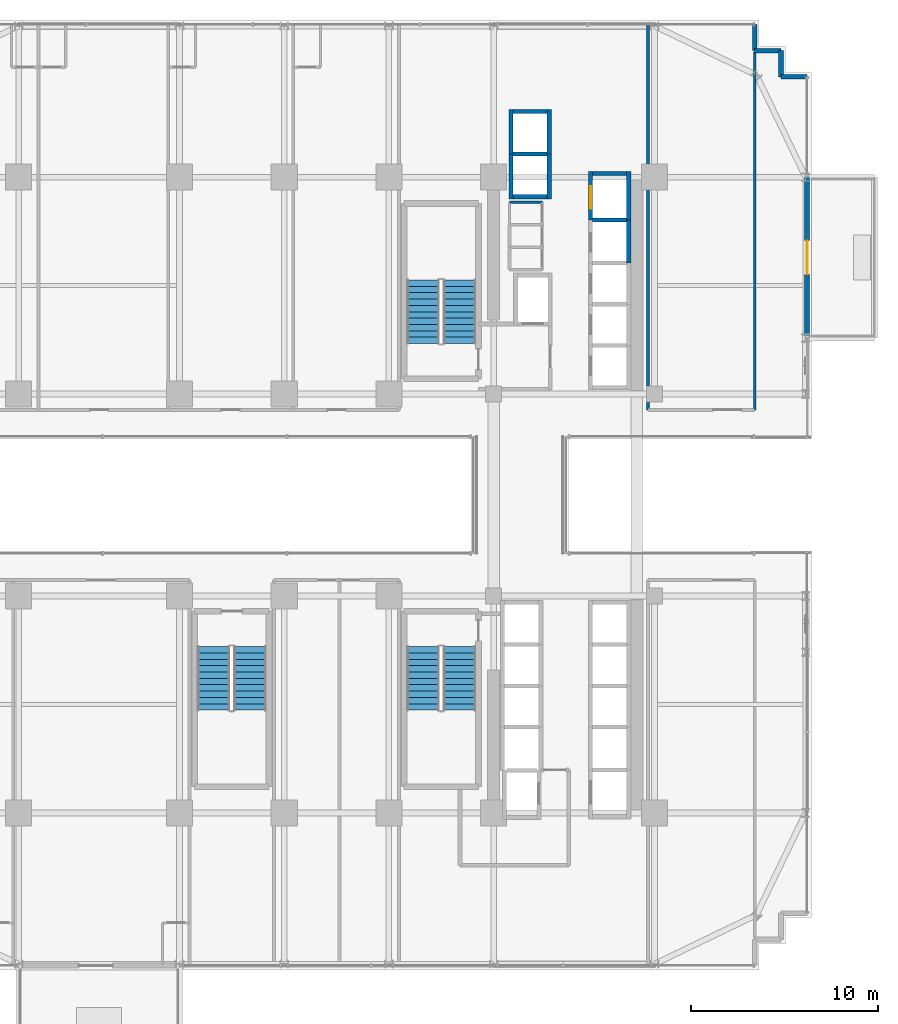
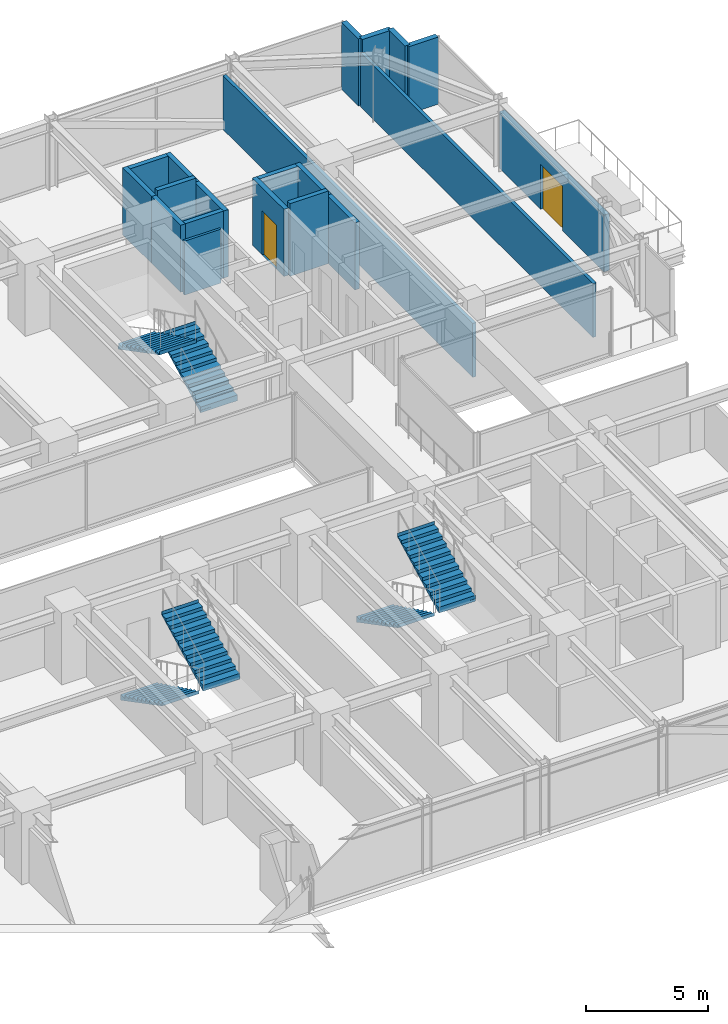
# One storey, part 32 of 35: 20 walls, 6 stair flights, 2 doors, 2 openings, 3 elements without a shape of their own.
"""IFC4 building model written with IfcOpenShell, lengths in metres."""

from ifc_helpers import new_model, si_unit, direction, frame, frame_2d, origin, place, context, subcontext, project, spatial, polyline, rectangle, outline, extrude, source, transform, mapped, material, layer, layer_set, type_object, element, fill, aggregate, save


model = new_model("IFC4")

# Units and contexts
model_context = context("Model", 3, precision=1e-05, world=origin(), true_north=direction((0.0, 1.0)))
body_context = subcontext(model_context, "Body", "Model", "MODEL_VIEW")
ifc_project = project(units=[si_unit("LENGTHUNIT", "METRE"), si_unit("AREAUNIT", "SQUARE_METRE"), si_unit("VOLUMEUNIT", "CUBIC_METRE"), si_unit("PLANEANGLEUNIT", "RADIAN"), si_unit("MASSUNIT", "GRAM", prefix="KILO")], contexts=[model_context])

# Site, building, storey
site_placement = place(None, origin())
site = spatial("IfcSite", under=ifc_project, at=site_placement, CompositionType="ELEMENT")
building_placement = place(site_placement, origin())
building = spatial("IfcBuilding", under=site, at=building_placement, Name="Nahalor Promenade Grand Hotel", CompositionType="ELEMENT")
storey_placement = place(building_placement, frame((0.0, 0.0, 43.35009765625)))
storey = spatial("IfcBuildingStorey", under=building, at=storey_placement, Name="L09", CompositionType="ELEMENT", Elevation=43.35009765625)

# Walls
ifc_material_1 = material(Name="Concrete B-50 (C40/50)", Category="concrete")
ifc_layer_1 = layer(ifc_material_1, 0.219970703125)
ifc_layer_set_1 = layer_set([ifc_layer_1], Name="Concrete B-50 (C40/50)")
wall_type_1 = type_object("IfcWallType", Name="Wall-LiftShaft-220", PredefinedType="SHEAR", material=ifc_layer_set_1)
shared_shape_1 = source(origin(), body_context, "Body", "SweptSolid", [
    extrude(rectangle(XDim=1.820068359375, YDim=0.219970703125, at=frame_2d((0.91015625, 0.0))), origin(), (0.0, 0.0, 1.0), 3.369873046875),
])
for number, where, z_axis, x_axis, name in (
    (1, (9.43994140625, 15.949951171875, 0.0), (0.0, 0.0, 1.0), (1.0, 0.0, 0.0), "L09 Lift OB1 Hoistway Wall S"),
    (2, (9.43994140625, 20.5, 0.0), (0.0, 0.0, 1.0), (1.0, 0.0, 0.0), "L09 Lift OB2 Hoistway Wall N"),
    (3, (13.68994140625, 17.199951171875, 0.0), (0.0, 0.0, 1.0), (1.0, 0.0, 0.0), "L09 Lift SV1 Hoistway Wall N"),
):
    element("IfcWall", number, at=place(storey_placement, frame(where, z_axis=z_axis, x_axis=x_axis)), inside=storey, type_object=wall_type_1, Name=name, PredefinedType="SHEAR", context=body_context, shape_type="MappedRepresentation", body=[
        mapped(shared_shape_1, transform((0.0, 0.0, 0.0), scale=1.0)),
    ])
shared_shape_2 = source(origin(), body_context, "Body", "SweptSolid", [
    extrude(rectangle(XDim=1.820068359375, YDim=0.219970703125, at=frame_2d((0.91015625, 0.0))), origin(), (0.0, 0.0, 1.0), 3.64990234375),
])
for number, where, z_axis, x_axis, name in (
    (4, (13.68994140625, 14.699951171875, 0.0), (0.0, 0.0, 1.0), (1.0, 0.0, 0.0), "L09 Lift PL4 Hoistway Wall N"),
    (5, (9.43994140625, 18.22509765625, 0.0), (0.0, 0.0, 1.0), (1.0, 0.0, 0.0), "L09 Lift OB1 Hoistway Wall N"),
):
    element("IfcWall", number, at=place(storey_placement, frame(where, z_axis=z_axis, x_axis=x_axis)), inside=storey, type_object=wall_type_1, Name=name, PredefinedType="SHEAR", context=body_context, shape_type="MappedRepresentation", body=[
        mapped(shared_shape_2, transform((0.0, 0.0, 0.0), scale=1.0)),
    ])
shared_shape_3 = source(origin(), body_context, "Body", "SweptSolid", [
    extrude(rectangle(XDim=2.300048828125, YDim=0.219970703125, at=frame_2d((1.14990234375, 0.0))), origin(), (0.0, 0.0, 1.0), 3.369873046875),
])
wall_1_placement = place(storey_placement, frame((15.6201171875, 12.39990234375, 0.0), z_axis=(0.0, 0.0, 1.0), x_axis=(0.0, 1.0, 0.0)))
element("IfcWall", 6, at=wall_1_placement, inside=storey, type_object=wall_type_1, Name="L09 Lift PL4 Hoistway Wall E", PredefinedType="SHEAR", context=body_context, shape_type="MappedRepresentation", body=[
    mapped(shared_shape_3, transform((0.0, 0.0, 0.0), scale=1.0)),
])
shared_shape_4 = source(origin(), body_context, "Body", "SweptSolid", [
    extrude(rectangle(XDim=2.385009765625, YDim=0.219970703125, at=frame_2d((1.1923828125, 0.0))), origin(), (0.0, 0.0, 1.0), 3.369873046875),
])
for number, where, z_axis, x_axis, name in (
    (7, (9.330078125, 15.840087890625, 0.0), (0.0, 0.0, 1.0), (0.0, 1.0, 0.0), "L09 Lift OB1 Hoistway Wall W"),
    (8, (11.3701171875, 15.840087890625, 0.0), (0.0, 0.0, 1.0), (0.0, 1.0, 0.0), "L09 Lift OB1 Hoistway Wall E"),
    (9, (9.330078125, 18.22509765625, 0.0), (0.0, 0.0, 1.0), (0.0, 1.0, 0.0), "L09 Lift OB2 Hoistway Wall W"),
    (10, (11.3701171875, 18.22509765625, 0.0), (0.0, 0.0, 1.0), (0.0, 1.0, 0.0), "L09 Lift OB2 Hoistway Wall E"),
):
    element("IfcWall", number, at=place(storey_placement, frame(where, z_axis=z_axis, x_axis=x_axis)), inside=storey, type_object=wall_type_1, Name=name, PredefinedType="SHEAR", context=body_context, shape_type="MappedRepresentation", body=[
        mapped(shared_shape_4, transform((0.0, 0.0, 0.0), scale=1.0)),
    ])

# Wall, opening, door
shared_shape_5 = source(origin(), body_context, "Body", "SweptSolid", [
    extrude(rectangle(XDim=2.610107421875, YDim=0.219970703125, at=frame_2d((1.30517578125, 0.0))), origin(), (0.0, 0.0, 1.0), 3.369873046875),
])
wall_2_placement = place(storey_placement, frame((13.580078125, 14.699951171875, 0.0), z_axis=(0.0, 0.0, 1.0), x_axis=(0.0, 1.0, 0.0)))
wall_2 = element("IfcWall", 11, at=wall_2_placement, inside=storey, type_object=wall_type_1, Name="L09 Lift SV1 Hoistway Wall W", PredefinedType="SHEAR", context=body_context, shape_type="MappedRepresentation", body=[
    mapped(shared_shape_5, transform((0.0, 0.0, 0.0), scale=1.0)),
])
opening_1_placement = place(wall_2_placement, frame((0.60009765625, 0.0, 0.0)))
opening_1 = element("IfcOpeningElement", 12, at=opening_1_placement, cuts=wall_2, Name="Opening LD-03", PredefinedType="OPENING", context=body_context, shape_type="SweptSolid", body=[
    extrude(rectangle(XDim=1.199951171875, YDim=2.199951171875, at=frame_2d((0.60009765625, 1.10009765625))), frame((0.0, 0.119873046875, 0.0), z_axis=(0.0, -1.0, 0.0), x_axis=(1.0, 0.0, 0.0)), (0.0, 0.0, 1.0), 0.239990234375),
])
ifc_material_2 = material(Name="Steel S355JR", Category="steel")
door_type_1 = type_object("IfcDoorType", Name="Door-LiftService-1200", OperationType="DOUBLE_DOOR_SLIDING", PredefinedType="DOOR", material=ifc_material_2)
shared_shape_6 = source(origin(), body_context, "Body", "SweptSolid", [
    extrude(rectangle(XDim=1.199951171875, YDim=2.199951171875, at=frame_2d((0.60009765625, 1.10009765625))), frame((0.0, 0.02490234375, 0.0), z_axis=(0.0, -1.0, 0.0), x_axis=(1.0, 0.0, 0.0)), (0.0, 0.0, 1.0), 0.050048828125),
])
door_1_placement = place(opening_1_placement, origin())
door_1 = element("IfcDoor", 13, at=door_1_placement, inside=storey, type_object=door_type_1, Name="DR-LIFT-SV1-L09", OperationType="DOUBLE_DOOR_SLIDING", OverallHeight=2.199951171875, OverallWidth=1.199951171875, PredefinedType="DOOR", context=body_context, shape_type="MappedRepresentation", body=[
    mapped(shared_shape_6, transform((0.0, 0.0, 0.0), scale=1.0)),
])
fill(opening_1, door_1)

# Walls
wall_3_placement = place(storey_placement, frame((15.6201171875, 14.699951171875, 0.0), z_axis=(0.0, 0.0, 1.0), x_axis=(0.0, 1.0, 0.0)))
element("IfcWall", 14, at=wall_3_placement, inside=storey, type_object=wall_type_1, Name="L09 Lift SV1 Hoistway Wall E", PredefinedType="SHEAR", context=body_context, shape_type="MappedRepresentation", body=[
    mapped(shared_shape_5, transform((0.0, 0.0, 0.0), scale=1.0)),
])
ifc_material_3 = material(Name="Concrete B-40 (C32/40)", Category="concrete")
ifc_layer_2 = layer(ifc_material_3, 0.25)
ifc_layer_set_2 = layer_set([ifc_layer_2], Name="Concrete B-40 (C32/40)")
wall_type_2 = type_object("IfcWallType", Name="Wall-BronzePier-250", PredefinedType="STANDARD", material=ifc_layer_set_2)
shared_shape_7 = source(origin(), body_context, "Body", "SweptSolid", [
    extrude(rectangle(XDim=1.39990234375, YDim=0.25, at=frame_2d((0.699951171875, 0.0))), origin(), (0.0, 0.0, 1.0), 3.369873046875),
])
for number, where, z_axis, x_axis, name in (
    (15, (23.760009765625, 22.360107421875, 0.0), (0.0, 0.0, 1.0), (1.0, 0.0, 0.0), "W-L09-SR-05"),
    (16, (23.760009765625, 22.360107421875, 0.0), (0.0, 0.0, 1.0), (0.0, 1.0, 0.0), "W-L09-SR-06"),
    (17, (22.360107421875, 23.760009765625, 0.0), (0.0, 0.0, 1.0), (1.0, 0.0, 0.0), "W-L09-SR-07"),
    (18, (22.360107421875, 23.760009765625, 0.0), (0.0, 0.0, 1.0), (0.0, 1.0, 0.0), "W-L09-SR-08"),
):
    element("IfcWall", number, at=place(storey_placement, frame(where, z_axis=z_axis, x_axis=x_axis)), inside=storey, type_object=wall_type_2, Name=name, PredefinedType="STANDARD", context=body_context, shape_type="MappedRepresentation", body=[
        mapped(shared_shape_7, transform((0.0, 0.0, 0.0), scale=1.0)),
    ])

# Wall, opening, door
ifc_layer_3 = layer(ifc_material_3, 0.260009765625)
ifc_layer_set_3 = layer_set([ifc_layer_3], Name="Concrete B-40 (C32/40)")
wall_type_3 = type_object("IfcWallType", Name="Wall-BalconyWall-260", PredefinedType="STANDARD", material=ifc_layer_set_3)
shared_shape_8 = source(origin(), body_context, "Body", "SweptSolid", [
    extrude(rectangle(XDim=8.60009765625, YDim=0.260009765625, at=frame_2d((4.300048828125, 0.0))), origin(), (0.0, 0.0, 1.0), 2.849853515625),
])
wall_4_placement = place(storey_placement, frame((25.159912109375, 8.39990234375, 0.0), z_axis=(0.0, 0.0, 1.0), x_axis=(0.0, 1.0, 0.0)))
wall_4 = element("IfcWall", 19, at=wall_4_placement, inside=storey, type_object=wall_type_3, Name="W-L09-BALC-E-3", PredefinedType="STANDARD", context=body_context, shape_type="MappedRepresentation", body=[
    mapped(shared_shape_8, transform((0.0, 0.0, 0.0), scale=1.0)),
])
opening_2_placement = place(wall_4_placement, frame((3.39990234375, 0.0, 0.0)))
opening_2 = element("IfcOpeningElement", 20, at=opening_2_placement, cuts=wall_4, Name="Opening D-BC1", PredefinedType="OPENING", context=body_context, shape_type="SweptSolid", body=[
    extrude(rectangle(XDim=1.800048828125, YDim=2.25, at=frame_2d((0.89990234375, 1.125))), frame((0.0, 0.139892578125, 0.0), z_axis=(0.0, -1.0, 0.0), x_axis=(1.0, 0.0, 0.0)), (0.0, 0.0, 1.0), 0.280029296875),
])
ifc_material_4 = material(Name="Anodised Bronze Aluminium EN AW-6063 T6", Category="aluminium")
door_type_2 = type_object("IfcDoorType", Name="Door-BalconySlide-1800", OperationType="DOUBLE_DOOR_SLIDING", PredefinedType="DOOR", material=ifc_material_4)
shared_shape_9 = source(origin(), body_context, "Body", "SweptSolid", [
    extrude(rectangle(XDim=1.800048828125, YDim=2.25, at=frame_2d((0.89990234375, 1.125))), frame((0.0, 0.02490234375, 0.0), z_axis=(0.0, -1.0, 0.0), x_axis=(1.0, 0.0, 0.0)), (0.0, 0.0, 1.0), 0.050048828125),
])
door_2_placement = place(opening_2_placement, frame((1.800048828125, 0.0, 0.0), z_axis=(0.0, 0.0, 1.0), x_axis=(-1.0, 0.0, 0.0)))
door_2 = element("IfcDoor", 21, at=door_2_placement, inside=storey, type_object=door_type_2, Name="DR-L09-BALC-E-3", OperationType="DOUBLE_DOOR_SLIDING", OverallHeight=2.25, OverallWidth=1.800048828125, PredefinedType="DOOR", context=body_context, shape_type="MappedRepresentation", body=[
    mapped(shared_shape_9, transform((0.0, 0.0, 0.0), scale=1.0)),
])
fill(opening_2, door_2)

# Walls
ifc_material_5 = material(Name="Acoustic Mineral Gypsum", Category="gypsum")
ifc_layer_4 = layer(ifc_material_5, 0.159912109375)
ifc_layer_set_4 = layer_set([ifc_layer_4], Name="Acoustic Mineral Gypsum")
wall_type_4 = type_object("IfcWallType", Name="Wall-PartCorridor-160", PredefinedType="PARTITIONING", material=ifc_layer_set_4)
shared_shape_10 = source(origin(), body_context, "Body", "SweptSolid", [
    extrude(rectangle(XDim=20.550048828125, YDim=0.159912109375, at=frame_2d((10.27490234375, 0.0))), origin(), (0.0, 0.0, 1.0), 2.7099609375),
])
wall_5_placement = place(storey_placement, frame((16.64990234375, 4.550048828125, 0.0), z_axis=(0.0, 0.0, 1.0), x_axis=(0.0, 1.0, 0.0)))
element("IfcWall", 22, at=wall_5_placement, inside=storey, type_object=wall_type_4, Name="W-L09-ENE-W", PredefinedType="PARTITIONING", context=body_context, shape_type="MappedRepresentation", body=[
    mapped(shared_shape_10, transform((0.0, 0.0, 0.0), scale=1.0)),
])
shared_shape_11 = source(origin(), body_context, "Body", "SweptSolid", [
    extrude(rectangle(XDim=19.1298828125, YDim=0.159912109375, at=frame_2d((9.56494140625, 0.0))), origin(), (0.0, 0.0, 1.0), 2.7099609375),
])
wall_6_placement = place(storey_placement, frame((22.360107421875, 4.550048828125, 0.0), z_axis=(0.0, 0.0, 1.0), x_axis=(0.0, 1.0, 0.0)))
element("IfcWall", 23, at=wall_6_placement, inside=storey, type_object=wall_type_4, Name="W-L09-ENE-E", PredefinedType="PARTITIONING", context=body_context, shape_type="MappedRepresentation", body=[
    mapped(shared_shape_11, transform((0.0, 0.0, 0.0), scale=1.0)),
])
ifc_layer_5 = layer(ifc_material_5, 0.1201171875)
ifc_layer_set_5 = layer_set([ifc_layer_5], Name="Acoustic Mineral Gypsum")
wall_type_5 = type_object("IfcWallType", Name="Wall-PartBath-120", PredefinedType="PARTITIONING", material=ifc_layer_set_5)
shared_shape_12 = source(origin(), body_context, "Body", "SweptSolid", [
    extrude(rectangle(XDim=1.75, YDim=0.1201171875, at=frame_2d((0.875, 0.0))), origin(), (0.0, 0.0, 1.0), 2.7099609375),
])
wall_7_placement = place(storey_placement, frame((9.25, 15.64990234375, 0.0), z_axis=(0.0, 0.0, 1.0), x_axis=(1.0, 0.0, 0.0)))
element("IfcWall", 24, at=wall_7_placement, inside=storey, type_object=wall_type_5, Name="W-L09-CK3C-N", PredefinedType="PARTITIONING", context=body_context, shape_type="MappedRepresentation", body=[
    mapped(shared_shape_12, transform((0.0, 0.0, 0.0), scale=1.0)),
])

# Stair, stair flights
stair_type_1 = type_object("IfcStairType", Name="Stair-ST1", PredefinedType="HALF_TURN_STAIR", material=ifc_material_1)
stair_1_placement = place(storey_placement, origin())
stair_1 = element("IfcStair", 25, at=stair_1_placement, inside=storey, type_object=stair_type_1, Name="L09 ST1", PredefinedType="HALF_TURN_STAIR")
ifc_layer_6 = layer(ifc_material_1, 0.179931640625)
ifc_layer_set_6 = layer_set([ifc_layer_6], Name="Concrete B-50 (C40/50)")
stair_flight_type_1 = type_object("IfcStairFlightType", Name="Flight-ST1", PredefinedType="STRAIGHT", material=ifc_layer_set_6)
shared_shape_13 = source(origin(), body_context, "Body", "SweptSolid", [
    extrude(outline(polyline([(-0.00390625, -0.1201171875), (-0.00390625, 0.0), (0.0, 0.0), (0.0, 0.166015625), (0.340087890625, 0.166015625), (0.340087890625, 0.331787109375), (0.679931640625, 0.331787109375), (0.679931640625, 0.497802734375), (1.02001953125, 0.497802734375), (1.02001953125, 0.66357421875), (1.360107421875, 0.66357421875), (1.360107421875, 0.82958984375), (1.699951171875, 0.82958984375), (1.699951171875, 0.995361328125), (2.0400390625, 0.995361328125), (2.0400390625, 1.161376953125), (2.3798828125, 1.161376953125), (2.3798828125, 1.327392578125), (2.719970703125, 1.327392578125), (2.719970703125, 1.4931640625), (3.06005859375, 1.4931640625), (3.06005859375, 1.6591796875), (3.39990234375, 1.6591796875), (3.39990234375, 1.824951171875), (3.404052734375, 1.824951171875), (3.404052734375, 1.64501953125), (0.02001953125, -0.1201171875), (-0.00390625, -0.1201171875)])), frame((0.0, 0.875, 0.0), z_axis=(0.0, -1.0, 0.0), x_axis=(1.0, 0.0, 0.0)), (0.0, 0.0, 1.0), 1.75),
])
stair_flight_1_placement = place(storey_placement, frame((6.574951171875, 8.10009765625, 0.0), z_axis=(0.0, 0.0, 1.0), x_axis=(0.0, 1.0, 0.0)))
stair_flight_1 = element("IfcStairFlight", 26, at=stair_flight_1_placement, type_object=stair_flight_type_1, Name="ST1 flight 1", NumberOfRisers=11, NumberOfTreads=10, PredefinedType="STRAIGHT", RiserHeight=0.165909091, TreadLength=0.34, context=body_context, shape_type="MappedRepresentation", body=[
    mapped(shared_shape_13, transform((0.0, 0.0, 0.0), scale=1.0)),
])
stair_flight_2_placement = place(storey_placement, frame((4.625, 11.5, 1.824951171875), z_axis=(0.0, 0.0, 1.0), x_axis=(0.0, -1.0, 0.0)))
stair_flight_2 = element("IfcStairFlight", 27, at=stair_flight_2_placement, type_object=stair_flight_type_1, Name="ST1 flight 2", NumberOfRisers=11, NumberOfTreads=10, PredefinedType="STRAIGHT", RiserHeight=0.165909091, TreadLength=0.34, context=body_context, shape_type="MappedRepresentation", body=[
    mapped(shared_shape_13, transform((0.0, 0.0, 0.0), scale=1.0)),
])
aggregate(stair_1, [stair_flight_1, stair_flight_2])

stair_type_2 = type_object("IfcStairType", Name="Stair-ST2", PredefinedType="HALF_TURN_STAIR", material=ifc_material_1)
stair_2_placement = place(storey_placement, origin())
stair_2 = element("IfcStair", 28, at=stair_2_placement, inside=storey, type_object=stair_type_2, Name="L09 ST2", PredefinedType="HALF_TURN_STAIR")
ifc_layer_7 = layer(ifc_material_1, 0.18994140625)
ifc_layer_set_7 = layer_set([ifc_layer_7], Name="Concrete B-50 (C40/50)")
stair_flight_type_2 = type_object("IfcStairFlightType", Name="Flight-ST2", PredefinedType="STRAIGHT", material=ifc_layer_set_7)
shared_shape_14 = source(origin(), body_context, "Body", "SweptSolid", [
    extrude(outline(polyline([(-0.00390625, -0.1201171875), (-0.00390625, 0.0), (0.0, 0.0), (0.0, 0.166015625), (0.340087890625, 0.166015625), (0.340087890625, 0.331787109375), (0.679931640625, 0.331787109375), (0.679931640625, 0.497802734375), (1.02001953125, 0.497802734375), (1.02001953125, 0.66357421875), (1.360107421875, 0.66357421875), (1.360107421875, 0.82958984375), (1.699951171875, 0.82958984375), (1.699951171875, 0.995361328125), (2.0400390625, 0.995361328125), (2.0400390625, 1.161376953125), (2.3798828125, 1.161376953125), (2.3798828125, 1.327392578125), (2.719970703125, 1.327392578125), (2.719970703125, 1.4931640625), (3.06005859375, 1.4931640625), (3.06005859375, 1.6591796875), (3.39990234375, 1.6591796875), (3.39990234375, 1.824951171875), (3.404052734375, 1.824951171875), (3.404052734375, 1.64501953125), (0.02001953125, -0.1201171875), (-0.00390625, -0.1201171875)])), frame((0.0, 0.875, 0.0), z_axis=(0.0, -1.0, 0.0), x_axis=(1.0, 0.0, 0.0)), (0.0, 0.0, 1.0), 1.75),
])
stair_flight_3_placement = place(storey_placement, frame((4.625, -8.10009765625, 0.0), z_axis=(0.0, 0.0, 1.0), x_axis=(0.0, -1.0, 0.0)))
stair_flight_3 = element("IfcStairFlight", 29, at=stair_flight_3_placement, type_object=stair_flight_type_2, Name="ST2 flight 1", NumberOfRisers=11, NumberOfTreads=10, PredefinedType="STRAIGHT", RiserHeight=0.165909091, TreadLength=0.34, context=body_context, shape_type="MappedRepresentation", body=[
    mapped(shared_shape_14, transform((0.0, 0.0, 0.0), scale=1.0)),
])
stair_flight_4_placement = place(storey_placement, frame((6.574951171875, -11.5, 1.824951171875), z_axis=(0.0, 0.0, 1.0), x_axis=(0.0, 1.0, 0.0)))
stair_flight_4 = element("IfcStairFlight", 30, at=stair_flight_4_placement, type_object=stair_flight_type_2, Name="ST2 flight 2", NumberOfRisers=11, NumberOfTreads=10, PredefinedType="STRAIGHT", RiserHeight=0.165909091, TreadLength=0.34, context=body_context, shape_type="MappedRepresentation", body=[
    mapped(shared_shape_14, transform((0.0, 0.0, 0.0), scale=1.0)),
])
aggregate(stair_2, [stair_flight_3, stair_flight_4])

stair_type_3 = type_object("IfcStairType", Name="Stair-ST3", PredefinedType="HALF_TURN_STAIR", material=ifc_material_1)
stair_3_placement = place(storey_placement, origin())
stair_3 = element("IfcStair", 31, at=stair_3_placement, inside=storey, type_object=stair_type_3, Name="L09 ST3", PredefinedType="HALF_TURN_STAIR")
ifc_layer_8 = layer(ifc_material_1, 0.199951171875)
ifc_layer_set_8 = layer_set([ifc_layer_8], Name="Concrete B-50 (C40/50)")
stair_flight_type_3 = type_object("IfcStairFlightType", Name="Flight-ST3", PredefinedType="STRAIGHT", material=ifc_layer_set_8)
shared_shape_15 = source(origin(), body_context, "Body", "SweptSolid", [
    extrude(outline(polyline([(-0.00390625, -0.1201171875), (-0.00390625, 0.0), (0.0, 0.0), (0.0, 0.166015625), (0.340087890625, 0.166015625), (0.340087890625, 0.331787109375), (0.679931640625, 0.331787109375), (0.679931640625, 0.497802734375), (1.02001953125, 0.497802734375), (1.02001953125, 0.66357421875), (1.360107421875, 0.66357421875), (1.360107421875, 0.82958984375), (1.699951171875, 0.82958984375), (1.699951171875, 0.995361328125), (2.0400390625, 0.995361328125), (2.0400390625, 1.161376953125), (2.3798828125, 1.161376953125), (2.3798828125, 1.327392578125), (2.719970703125, 1.327392578125), (2.719970703125, 1.4931640625), (3.06005859375, 1.4931640625), (3.06005859375, 1.6591796875), (3.39990234375, 1.6591796875), (3.39990234375, 1.824951171875), (3.404052734375, 1.824951171875), (3.404052734375, 1.64501953125), (0.02001953125, -0.1201171875), (-0.00390625, -0.1201171875)])), frame((0.0, 0.875, 0.0), z_axis=(0.0, -1.0, 0.0), x_axis=(1.0, 0.0, 0.0)), (0.0, 0.0, 1.0), 1.75),
])
stair_flight_5_placement = place(storey_placement, frame((-6.574951171875, -8.10009765625, 0.0), z_axis=(0.0, 0.0, 1.0), x_axis=(0.0, -1.0, 0.0)))
stair_flight_5 = element("IfcStairFlight", 32, at=stair_flight_5_placement, type_object=stair_flight_type_3, Name="ST3 flight 1", NumberOfRisers=11, NumberOfTreads=10, PredefinedType="STRAIGHT", RiserHeight=0.165909091, TreadLength=0.34, context=body_context, shape_type="MappedRepresentation", body=[
    mapped(shared_shape_15, transform((0.0, 0.0, 0.0), scale=1.0)),
])
stair_flight_6_placement = place(storey_placement, frame((-4.625, -11.5, 1.824951171875), z_axis=(0.0, 0.0, 1.0), x_axis=(0.0, 1.0, 0.0)))
stair_flight_6 = element("IfcStairFlight", 33, at=stair_flight_6_placement, type_object=stair_flight_type_3, Name="ST3 flight 2", NumberOfRisers=11, NumberOfTreads=10, PredefinedType="STRAIGHT", RiserHeight=0.165909091, TreadLength=0.34, context=body_context, shape_type="MappedRepresentation", body=[
    mapped(shared_shape_15, transform((0.0, 0.0, 0.0), scale=1.0)),
])
aggregate(stair_3, [stair_flight_5, stair_flight_6])

save(model, "model.ifc")
